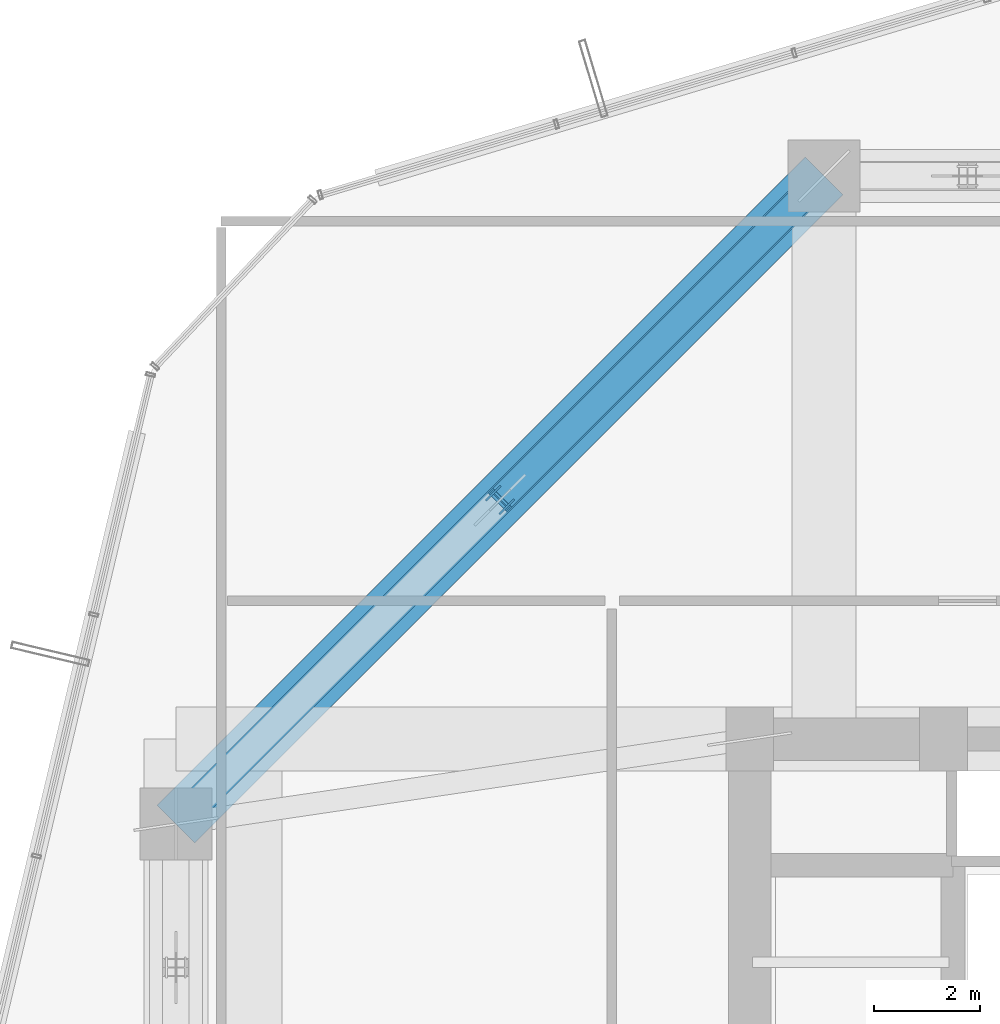
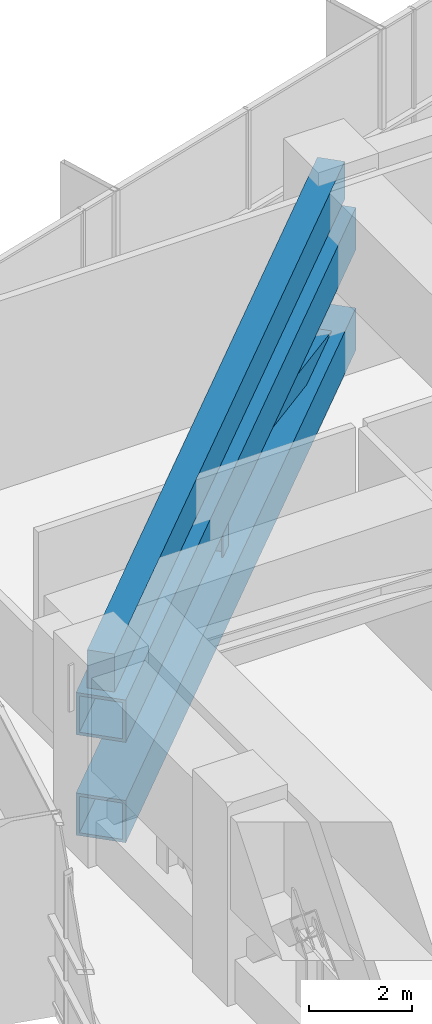
# One storey, part 24 of 41: 4 members, 1 beam.
"""IFC4 building model written with IfcOpenShell, lengths in metres."""

from ifc_helpers import new_model, si_unit, direction, frame, origin, origin_2d, place, context, subcontext, project, spatial, rectangle, hollow_rectangle, i_section, extrude, material, material_profile, profile_set, type_object, element, save


model = new_model("IFC4")

# Units and contexts
model_context = context("Model", 3, precision=1e-05, world=origin(), true_north=direction((0.0, 1.0)))
body_context = subcontext(model_context, "Body", "Model", "MODEL_VIEW")
ifc_project = project(units=[si_unit("LENGTHUNIT", "METRE"), si_unit("AREAUNIT", "SQUARE_METRE"), si_unit("VOLUMEUNIT", "CUBIC_METRE"), si_unit("PLANEANGLEUNIT", "RADIAN"), si_unit("MASSUNIT", "GRAM", prefix="KILO")], contexts=[model_context])

# Site, building, storey
site_placement = place(None, origin())
site = spatial("IfcSite", under=ifc_project, at=site_placement, CompositionType="ELEMENT")
building_placement = place(site_placement, origin())
building = spatial("IfcBuilding", under=site, at=building_placement, Name="Veraguas Prism Commons", CompositionType="ELEMENT")
storey_placement = place(building_placement, frame((0.0, 0.0, 80.35009765625)))
storey = spatial("IfcBuildingStorey", under=building, at=storey_placement, Name="L22", CompositionType="ELEMENT", Elevation=80.35009765625)

# Members
ifc_material_1 = material(Name="Steel ASTM A913 Grade 65", Category="steel")
ifc_material_profile_1 = material_profile(ifc_material_1, hollow_rectangle(XDim=1.0, YDim=1.0, WallThickness=0.070068359375, at=origin_2d()), Name="BOX1000X1000X70")
ifc_profile_set_1 = profile_set([ifc_material_profile_1], Name="Steel ASTM A913 Grade 65")
member_type_1 = type_object("IfcMemberType", Name="Belt Truss Chord L22 Box 1000x1000x70", PredefinedType="CHORD", material=ifc_profile_set_1)
for number, where, z_axis, x_axis, name in (
    (1, (18.60009765625, 41.60009765625, 0.5498046875), (-0.707106781187, -0.707106781187, 0.0), (0.707106781187, -0.707106781187, 0.0), "Perimeter Belt Truss Chord Bottom L22-06"),
    (2, (18.60009765625, 41.60009765625, 2.929931640625), (-0.707106781187, -0.707106781187, 0.0), (0.707106781187, -0.707106781187, 0.0), "Perimeter Belt Truss Chord Top L22-06"),
):
    element("IfcMember", number, at=place(storey_placement, frame(where, z_axis=z_axis, x_axis=x_axis)), inside=storey, type_object=member_type_1, Name=name, PredefinedType="CHORD", context=body_context, shape_type="SweptSolid", body=[
        extrude(hollow_rectangle(XDim=1.0, YDim=1.0, WallThickness=0.070068359375, at=origin_2d()), origin(), (0.0, 0.0, 1.0), 17.253662109375),
    ])
ifc_material_2 = material(Name="Steel ASTM A992 Grade 50", Category="steel")
ifc_material_profile_2 = material_profile(ifc_material_2, i_section(OverallWidth=0.39794921875, OverallDepth=0.386962890625, WebThickness=0.01904296875, FlangeThickness=0.0302734375, at=origin_2d()), Name="W360X262")
ifc_profile_set_2 = profile_set([ifc_material_profile_2], Name="Steel ASTM A992 Grade 50")
member_type_2 = type_object("IfcMemberType", Name="Belt Truss Vertical Strut W360x262", PredefinedType="STRUT", material=ifc_profile_set_2)
member_1_placement = place(storey_placement, frame((12.5, 35.5, 0.5498046875), z_axis=(0.0, 0.0, 1.0), x_axis=(-0.707106781187, -0.707106781187, 0.0)))
element("IfcMember", 3, at=member_1_placement, inside=storey, type_object=member_type_2, Name="Perimeter Belt Truss Strut L22-06", PredefinedType="STRUT", context=body_context, shape_type="SweptSolid", body=[
    extrude(i_section(OverallWidth=0.39794921875, OverallDepth=0.386962890625, WebThickness=0.01904296875, FlangeThickness=0.0302734375, at=origin_2d()), origin(), (0.0, 0.0, 1.0), 2.380126953125),
])
ifc_material_3 = material(Name="Steel ASTM A572 Grade 50", Category="steel")
ifc_material_profile_3 = material_profile(ifc_material_3, hollow_rectangle(XDim=0.5, YDim=0.5, WallThickness=0.02490234375, at=origin_2d()), Name="BOX500X500X25")
ifc_profile_set_3 = profile_set([ifc_material_profile_3], Name="Steel ASTM A572 Grade 50")
member_type_3 = type_object("IfcMemberType", Name="Perimeter Belt Diagonal BOX 500x500x25", PredefinedType="BRACE", material=ifc_profile_set_3)
member_2_placement = place(storey_placement, frame((18.60009765625, 41.60009765625, 0.5498046875), z_axis=(-0.681639462261, -0.681639462261, 0.265961062898), x_axis=(0.707106781187, -0.707106781187, 0.0)))
element("IfcMember", 4, at=member_2_placement, inside=storey, type_object=member_type_3, Name="Perimeter Belt Truss Brace L22-06A", PredefinedType="BRACE", context=body_context, shape_type="SweptSolid", body=[
    extrude(hollow_rectangle(XDim=0.5, YDim=0.5, WallThickness=0.02490234375, at=origin_2d()), origin(), (0.0, 0.0, 1.0), 8.94921875),
])

# Beam
ifc_material_4 = material(Name="Concrete C50/60", Category="concrete")
ifc_material_profile_4 = material_profile(ifc_material_4, rectangle(XDim=0.550048828125, YDim=0.89990234375, at=origin_2d()), Name="RC550X900")
ifc_profile_set_4 = profile_set([ifc_material_profile_4], Name="Concrete C50/60")
beam_type = type_object("IfcBeamType", Name="Perimeter Spandrel Lower RC 550x900", PredefinedType="SPANDREL", material=ifc_profile_set_4)
beam_placement = place(storey_placement, frame((18.60009765625, 41.60009765625, 4.02978515625), z_axis=(-0.707106781187, -0.707106781187, 0.0), x_axis=(0.707106781187, -0.707106781187, 0.0)))
element("IfcBeam", 5, at=beam_placement, inside=storey, type_object=beam_type, Name="Perimeter Spandrel Beam L22-SP06", PredefinedType="SPANDREL", context=body_context, shape_type="SweptSolid", body=[
    extrude(rectangle(XDim=0.550048828125, YDim=0.89990234375, at=origin_2d()), origin(), (0.0, 0.0, 1.0), 17.253662109375),
])

save(model, "model.ifc")
